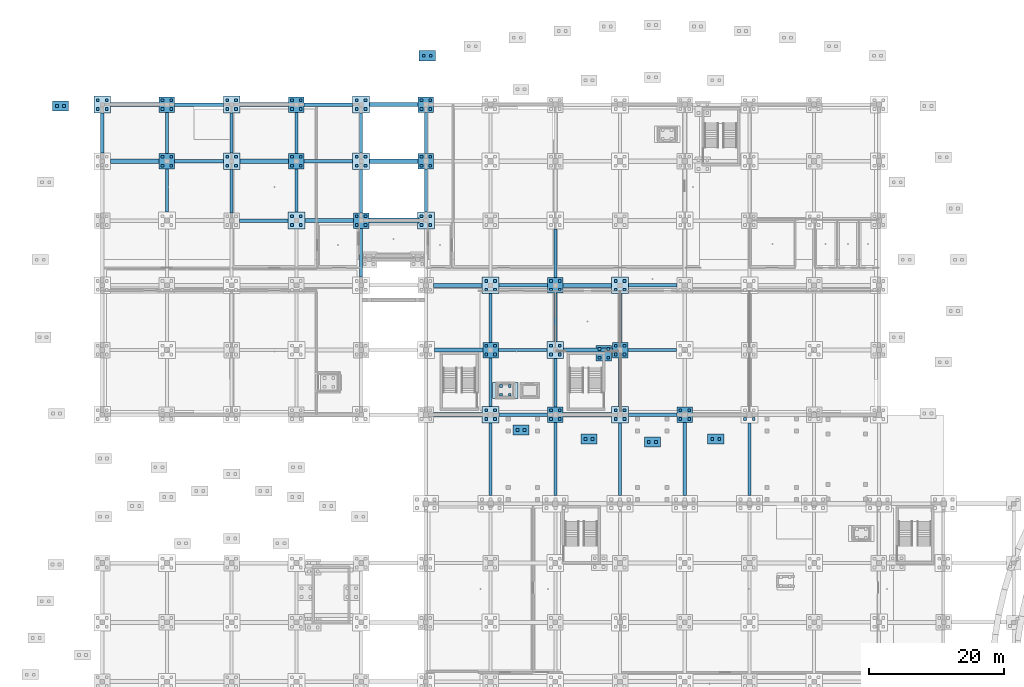
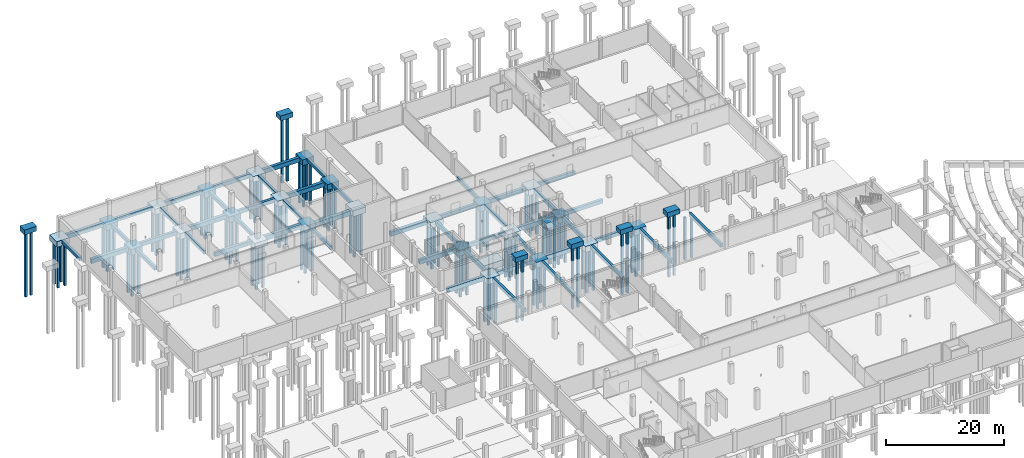
# One storey, part 6 of 31: 118 piles, 81 footings.
"""IFC4 building model written with IfcOpenShell, lengths in metres."""

from ifc_helpers import new_model, si_unit, direction, frame, origin, origin_2d, place, context, subcontext, project, spatial, rectangle, extrude, material, layer, layer_set, material_profile, profile_set, type_object, element, save


model = new_model("IFC4")

# Units and contexts
model_context = context("Model", 3, precision=1e-05, world=origin(), true_north=direction((0.0, 1.0)))
body_context = subcontext(model_context, "Body", "Model", "MODEL_VIEW")
ifc_project = project(units=[si_unit("LENGTHUNIT", "METRE"), si_unit("AREAUNIT", "SQUARE_METRE"), si_unit("VOLUMEUNIT", "CUBIC_METRE"), si_unit("PLANEANGLEUNIT", "RADIAN"), si_unit("MASSUNIT", "GRAM", prefix="KILO")], contexts=[model_context])

# Site, building, storey
site_placement = place(None, origin())
site = spatial("IfcSite", under=ifc_project, at=site_placement, CompositionType="ELEMENT")
building_placement = place(site_placement, origin())
building = spatial("IfcBuilding", under=site, at=building_placement, Name="Chalmorin Arch Market", CompositionType="ELEMENT")
storey_placement = place(building_placement, frame((0.0, 0.0, -4.199951171875)))
storey = spatial("IfcBuildingStorey", under=building, at=storey_placement, Name="B1", CompositionType="ELEMENT", Elevation=-4.199951171875)

# Piles
ifc_material_1 = material(Name="Precast concrete C50/60", Category="concrete")
ifc_material_profile = material_profile(ifc_material_1, rectangle(XDim=0.406005859375, YDim=0.406005859375, at=origin_2d()), Name="PPC406")
ifc_profile_set = profile_set([ifc_material_profile], Name="Precast concrete C50/60")
pile_type = type_object("IfcPileType", Name="DrivenSquarePile-406", PredefinedType="DRIVEN", material=ifc_profile_set)
for number, where, z_axis, x_axis, name in (
    (1, (-0.64990234375, 117.35009765625, -1.10009765625), (0.0, 0.0, -1.0), (1.0, 0.0, 0.0), "P-406-045"),
    (2, (0.64990234375, 117.35009765625, -1.10009765625), (0.0, 0.0, -1.0), (1.0, 0.0, 0.0), "P-406-046"),
    (3, (-0.64990234375, 118.64990234375, -1.10009765625), (0.0, 0.0, -1.0), (1.0, 0.0, 0.0), "P-406-047"),
    (4, (0.64990234375, 118.64990234375, -1.10009765625), (0.0, 0.0, -1.0), (1.0, 0.0, 0.0), "P-406-048"),
    (5, (8.949951171875, 108.949951171875, -1.10009765625), (0.0, 0.0, -1.0), (1.0, 0.0, 0.0), "P-406-089"),
    (6, (10.25, 108.949951171875, -1.10009765625), (0.0, 0.0, -1.0), (1.0, 0.0, 0.0), "P-406-090"),
    (7, (8.949951171875, 110.25, -1.10009765625), (0.0, 0.0, -1.0), (1.0, 0.0, 0.0), "P-406-091"),
    (8, (10.25, 110.25, -1.10009765625), (0.0, 0.0, -1.0), (1.0, 0.0, 0.0), "P-406-092"),
    (9, (8.949951171875, 117.35009765625, -1.10009765625), (0.0, 0.0, -1.0), (1.0, 0.0, 0.0), "P-406-093"),
    (10, (10.25, 117.35009765625, -1.10009765625), (0.0, 0.0, -1.0), (1.0, 0.0, 0.0), "P-406-094"),
    (11, (8.949951171875, 118.64990234375, -1.10009765625), (0.0, 0.0, -1.0), (1.0, 0.0, 0.0), "P-406-095"),
    (12, (10.25, 118.64990234375, -1.10009765625), (0.0, 0.0, -1.0), (1.0, 0.0, 0.0), "P-406-096"),
    (13, (18.550048828125, 108.949951171875, -1.10009765625), (0.0, 0.0, -1.0), (1.0, 0.0, 0.0), "P-406-137"),
    (14, (19.85009765625, 108.949951171875, -1.10009765625), (0.0, 0.0, -1.0), (1.0, 0.0, 0.0), "P-406-138"),
    (15, (18.550048828125, 110.25, -1.10009765625), (0.0, 0.0, -1.0), (1.0, 0.0, 0.0), "P-406-139"),
    (16, (19.85009765625, 110.25, -1.10009765625), (0.0, 0.0, -1.0), (1.0, 0.0, 0.0), "P-406-140"),
    (17, (18.550048828125, 117.35009765625, -1.10009765625), (0.0, 0.0, -1.0), (1.0, 0.0, 0.0), "P-406-141"),
    (18, (19.85009765625, 117.35009765625, -1.10009765625), (0.0, 0.0, -1.0), (1.0, 0.0, 0.0), "P-406-142"),
    (19, (18.550048828125, 118.64990234375, -1.10009765625), (0.0, 0.0, -1.0), (1.0, 0.0, 0.0), "P-406-143"),
    (20, (19.85009765625, 118.64990234375, -1.10009765625), (0.0, 0.0, -1.0), (1.0, 0.0, 0.0), "P-406-144"),
    (21, (28.14990234375, 100.14990234375, -1.10009765625), (0.0, 0.0, -1.0), (1.0, 0.0, 0.0), "P-406-181"),
    (22, (29.449951171875, 100.14990234375, -1.10009765625), (0.0, 0.0, -1.0), (1.0, 0.0, 0.0), "P-406-182"),
    (23, (28.14990234375, 101.449951171875, -1.10009765625), (0.0, 0.0, -1.0), (1.0, 0.0, 0.0), "P-406-183"),
    (24, (29.449951171875, 101.449951171875, -1.10009765625), (0.0, 0.0, -1.0), (1.0, 0.0, 0.0), "P-406-184"),
    (25, (28.14990234375, 108.949951171875, -1.10009765625), (0.0, 0.0, -1.0), (1.0, 0.0, 0.0), "P-406-185"),
    (26, (29.449951171875, 108.949951171875, -1.10009765625), (0.0, 0.0, -1.0), (1.0, 0.0, 0.0), "P-406-186"),
    (27, (28.14990234375, 110.25, -1.10009765625), (0.0, 0.0, -1.0), (1.0, 0.0, 0.0), "P-406-187"),
    (28, (29.449951171875, 110.25, -1.10009765625), (0.0, 0.0, -1.0), (1.0, 0.0, 0.0), "P-406-188"),
    (29, (28.14990234375, 117.35009765625, -1.10009765625), (0.0, 0.0, -1.0), (1.0, 0.0, 0.0), "P-406-189"),
    (30, (29.449951171875, 117.35009765625, -1.10009765625), (0.0, 0.0, -1.0), (1.0, 0.0, 0.0), "P-406-190"),
    (31, (28.14990234375, 118.64990234375, -1.10009765625), (0.0, 0.0, -1.0), (1.0, 0.0, 0.0), "P-406-191"),
    (32, (29.449951171875, 118.64990234375, -1.10009765625), (0.0, 0.0, -1.0), (1.0, 0.0, 0.0), "P-406-192"),
    (33, (37.75, 100.14990234375, -1.10009765625), (0.0, 0.0, -1.0), (1.0, 0.0, 0.0), "P-406-229"),
    (34, (39.050048828125, 100.14990234375, -1.10009765625), (0.0, 0.0, -1.0), (1.0, 0.0, 0.0), "P-406-230"),
    (35, (37.75, 101.449951171875, -1.10009765625), (0.0, 0.0, -1.0), (1.0, 0.0, 0.0), "P-406-231"),
    (36, (39.050048828125, 101.449951171875, -1.10009765625), (0.0, 0.0, -1.0), (1.0, 0.0, 0.0), "P-406-232"),
    (37, (37.75, 108.949951171875, -1.10009765625), (0.0, 0.0, -1.0), (1.0, 0.0, 0.0), "P-406-233"),
    (38, (39.050048828125, 108.949951171875, -1.10009765625), (0.0, 0.0, -1.0), (1.0, 0.0, 0.0), "P-406-234"),
    (39, (37.75, 110.25, -1.10009765625), (0.0, 0.0, -1.0), (1.0, 0.0, 0.0), "P-406-235"),
    (40, (39.050048828125, 110.25, -1.10009765625), (0.0, 0.0, -1.0), (1.0, 0.0, 0.0), "P-406-236"),
    (41, (37.75, 117.35009765625, -1.10009765625), (0.0, 0.0, -1.0), (1.0, 0.0, 0.0), "P-406-237"),
    (42, (39.050048828125, 117.35009765625, -1.10009765625), (0.0, 0.0, -1.0), (1.0, 0.0, 0.0), "P-406-238"),
    (43, (37.75, 118.64990234375, -1.10009765625), (0.0, 0.0, -1.0), (1.0, 0.0, 0.0), "P-406-239"),
    (44, (39.050048828125, 118.64990234375, -1.10009765625), (0.0, 0.0, -1.0), (1.0, 0.0, 0.0), "P-406-240"),
    (45, (47.35009765625, 100.14990234375, -1.10009765625), (0.0, 0.0, -1.0), (1.0, 0.0, 0.0), "P-406-285"),
    (46, (48.64990234375, 100.14990234375, -1.10009765625), (0.0, 0.0, -1.0), (1.0, 0.0, 0.0), "P-406-286"),
    (47, (47.35009765625, 101.449951171875, -1.10009765625), (0.0, 0.0, -1.0), (1.0, 0.0, 0.0), "P-406-287"),
    (48, (48.64990234375, 101.449951171875, -1.10009765625), (0.0, 0.0, -1.0), (1.0, 0.0, 0.0), "P-406-288"),
    (49, (47.35009765625, 108.949951171875, -1.10009765625), (0.0, 0.0, -1.0), (1.0, 0.0, 0.0), "P-406-289"),
    (50, (48.64990234375, 108.949951171875, -1.10009765625), (0.0, 0.0, -1.0), (1.0, 0.0, 0.0), "P-406-290"),
    (51, (47.35009765625, 110.25, -1.10009765625), (0.0, 0.0, -1.0), (1.0, 0.0, 0.0), "P-406-291"),
    (52, (48.64990234375, 110.25, -1.10009765625), (0.0, 0.0, -1.0), (1.0, 0.0, 0.0), "P-406-292"),
    (53, (47.35009765625, 117.35009765625, -1.10009765625), (0.0, 0.0, -1.0), (1.0, 0.0, 0.0), "P-406-293"),
    (54, (48.64990234375, 117.35009765625, -1.10009765625), (0.0, 0.0, -1.0), (1.0, 0.0, 0.0), "P-406-294"),
    (55, (47.35009765625, 118.64990234375, -1.10009765625), (0.0, 0.0, -1.0), (1.0, 0.0, 0.0), "P-406-295"),
    (56, (48.64990234375, 118.64990234375, -1.10009765625), (0.0, 0.0, -1.0), (1.0, 0.0, 0.0), "P-406-296"),
    (57, (56.949951171875, 71.35009765625, -1.10009765625), (0.0, 0.0, -1.0), (1.0, 0.0, 0.0), "P-406-329"),
    (58, (58.25, 71.35009765625, -1.10009765625), (0.0, 0.0, -1.0), (1.0, 0.0, 0.0), "P-406-330"),
    (59, (56.949951171875, 72.64990234375, -1.10009765625), (0.0, 0.0, -1.0), (1.0, 0.0, 0.0), "P-406-331"),
    (60, (58.25, 72.64990234375, -1.10009765625), (0.0, 0.0, -1.0), (1.0, 0.0, 0.0), "P-406-332"),
    (61, (56.949951171875, 80.949951171875, -1.10009765625), (0.0, 0.0, -1.0), (1.0, 0.0, 0.0), "P-406-333"),
    (62, (58.25, 80.949951171875, -1.10009765625), (0.0, 0.0, -1.0), (1.0, 0.0, 0.0), "P-406-334"),
    (63, (56.949951171875, 82.25, -1.10009765625), (0.0, 0.0, -1.0), (1.0, 0.0, 0.0), "P-406-335"),
    (64, (58.25, 82.25, -1.10009765625), (0.0, 0.0, -1.0), (1.0, 0.0, 0.0), "P-406-336"),
    (65, (56.949951171875, 90.550048828125, -1.10009765625), (0.0, 0.0, -1.0), (1.0, 0.0, 0.0), "P-406-337"),
    (66, (58.25, 90.550048828125, -1.10009765625), (0.0, 0.0, -1.0), (1.0, 0.0, 0.0), "P-406-338"),
    (67, (56.949951171875, 91.85009765625, -1.10009765625), (0.0, 0.0, -1.0), (1.0, 0.0, 0.0), "P-406-339"),
    (68, (58.25, 91.85009765625, -1.10009765625), (0.0, 0.0, -1.0), (1.0, 0.0, 0.0), "P-406-340"),
    (69, (66.550048828125, 71.35009765625, -1.10009765625), (0.0, 0.0, -1.0), (1.0, 0.0, 0.0), "P-406-385"),
    (70, (67.85009765625, 71.35009765625, -1.10009765625), (0.0, 0.0, -1.0), (1.0, 0.0, 0.0), "P-406-386"),
    (71, (66.550048828125, 72.64990234375, -1.10009765625), (0.0, 0.0, -1.0), (1.0, 0.0, 0.0), "P-406-387"),
    (72, (67.85009765625, 72.64990234375, -1.10009765625), (0.0, 0.0, -1.0), (1.0, 0.0, 0.0), "P-406-388"),
    (73, (66.550048828125, 80.949951171875, -1.10009765625), (0.0, 0.0, -1.0), (1.0, 0.0, 0.0), "P-406-389"),
    (74, (67.85009765625, 80.949951171875, -1.10009765625), (0.0, 0.0, -1.0), (1.0, 0.0, 0.0), "P-406-390"),
    (75, (66.550048828125, 82.25, -1.10009765625), (0.0, 0.0, -1.0), (1.0, 0.0, 0.0), "P-406-391"),
    (76, (67.85009765625, 82.25, -1.10009765625), (0.0, 0.0, -1.0), (1.0, 0.0, 0.0), "P-406-392"),
    (77, (66.550048828125, 90.550048828125, -1.10009765625), (0.0, 0.0, -1.0), (1.0, 0.0, 0.0), "P-406-393"),
    (78, (67.85009765625, 90.550048828125, -1.10009765625), (0.0, 0.0, -1.0), (1.0, 0.0, 0.0), "P-406-394"),
    (79, (66.550048828125, 91.85009765625, -1.10009765625), (0.0, 0.0, -1.0), (1.0, 0.0, 0.0), "P-406-395"),
    (80, (67.85009765625, 91.85009765625, -1.10009765625), (0.0, 0.0, -1.0), (1.0, 0.0, 0.0), "P-406-396"),
    (81, (76.14990234375, 71.35009765625, -1.10009765625), (0.0, 0.0, -1.0), (1.0, 0.0, 0.0), "P-406-441"),
    (82, (77.449951171875, 71.35009765625, -1.10009765625), (0.0, 0.0, -1.0), (1.0, 0.0, 0.0), "P-406-442"),
    (83, (76.14990234375, 72.64990234375, -1.10009765625), (0.0, 0.0, -1.0), (1.0, 0.0, 0.0), "P-406-443"),
    (84, (77.449951171875, 72.64990234375, -1.10009765625), (0.0, 0.0, -1.0), (1.0, 0.0, 0.0), "P-406-444"),
    (85, (76.14990234375, 80.949951171875, -1.10009765625), (0.0, 0.0, -1.0), (1.0, 0.0, 0.0), "P-406-445"),
    (86, (77.449951171875, 80.949951171875, -1.10009765625), (0.0, 0.0, -1.0), (1.0, 0.0, 0.0), "P-406-446"),
    (87, (76.14990234375, 82.25, -1.10009765625), (0.0, 0.0, -1.0), (1.0, 0.0, 0.0), "P-406-447"),
    (88, (77.449951171875, 82.25, -1.10009765625), (0.0, 0.0, -1.0), (1.0, 0.0, 0.0), "P-406-448"),
    (89, (76.14990234375, 90.550048828125, -1.10009765625), (0.0, 0.0, -1.0), (1.0, 0.0, 0.0), "P-406-449"),
    (90, (77.449951171875, 90.550048828125, -1.10009765625), (0.0, 0.0, -1.0), (1.0, 0.0, 0.0), "P-406-450"),
    (91, (76.14990234375, 91.85009765625, -1.10009765625), (0.0, 0.0, -1.0), (1.0, 0.0, 0.0), "P-406-451"),
    (92, (77.449951171875, 91.85009765625, -1.10009765625), (0.0, 0.0, -1.0), (1.0, 0.0, 0.0), "P-406-452"),
    (93, (85.75, 71.35009765625, -1.10009765625), (0.0, 0.0, -1.0), (1.0, 0.0, 0.0), "P-406-497"),
    (94, (87.050048828125, 71.35009765625, -1.10009765625), (0.0, 0.0, -1.0), (1.0, 0.0, 0.0), "P-406-498"),
    (95, (85.75, 72.64990234375, -1.10009765625), (0.0, 0.0, -1.0), (1.0, 0.0, 0.0), "P-406-499"),
    (96, (87.050048828125, 72.64990234375, -1.10009765625), (0.0, 0.0, -1.0), (1.0, 0.0, 0.0), "P-406-500"),
    (97, (95.35009765625, 71.35009765625, -1.10009765625), (0.0, 0.0, -1.0), (1.0, 0.0, 0.0), "P-406-553"),
    (98, (96.64990234375, 71.35009765625, -1.10009765625), (0.0, 0.0, -1.0), (1.0, 0.0, 0.0), "P-406-554"),
):
    element("IfcPile", number, at=place(storey_placement, frame(where, z_axis=z_axis, x_axis=x_axis)), inside=storey, type_object=pile_type, Name=name, PredefinedType="DRIVEN", context=body_context, shape_type="SweptSolid", body=[
        extrude(rectangle(XDim=0.406005859375, YDim=0.406005859375, at=origin_2d()), origin(), (0.0, 0.0, 1.0), 8.89990234375),
    ])
for number, where, z_axis, x_axis, name in (
    (99, (61.592041015625, 69.73095703125, 2.97998046875), (0.0, 0.0, -1.0), (1.0, 0.0, 0.0), "P-406-805"),
    (100, (62.632080078125, 69.73095703125, 2.97998046875), (0.0, 0.0, -1.0), (1.0, 0.0, 0.0), "P-406-806"),
    (101, (71.672119140625, 68.387939453125, 2.97998046875), (0.0, 0.0, -1.0), (1.0, 0.0, 0.0), "P-406-809"),
    (102, (72.7119140625, 68.387939453125, 2.97998046875), (0.0, 0.0, -1.0), (1.0, 0.0, 0.0), "P-406-810"),
    (103, (81.080078125, 67.949951171875, 2.97998046875), (0.0, 0.0, -1.0), (1.0, 0.0, 0.0), "P-406-813"),
    (104, (82.1201171875, 67.949951171875, 2.97998046875), (0.0, 0.0, -1.0), (1.0, 0.0, 0.0), "P-406-814"),
    (105, (90.488037109375, 68.387939453125, 2.97998046875), (0.0, 0.0, -1.0), (1.0, 0.0, 0.0), "P-406-817"),
    (106, (91.528076171875, 68.387939453125, 2.97998046875), (0.0, 0.0, -1.0), (1.0, 0.0, 0.0), "P-406-818"),
):
    element("IfcPile", number, at=place(storey_placement, frame(where, z_axis=z_axis, x_axis=x_axis)), inside=storey, type_object=pile_type, Name=name, PredefinedType="DRIVEN", context=body_context, shape_type="SweptSolid", body=[
        extrude(rectangle(XDim=0.406005859375, YDim=0.406005859375, at=origin_2d()), origin(), (0.0, 0.0, 1.0), 12.97998046875),
    ])
for number, where, z_axis, x_axis, name in (
    (107, (-6.719970703125, 117.800048828125, 3.47998046875), (0.0, 0.0, -1.0), (1.0, 0.0, 0.0), "P-406-841"),
    (108, (-5.679931640625, 117.800048828125, 3.47998046875), (0.0, 0.0, -1.0), (1.0, 0.0, 0.0), "P-406-842"),
    (109, (47.679931640625, 125.242919921875, 3.47998046875), (0.0, 0.0, -1.0), (1.0, 0.0, 0.0), "P-406-843"),
    (110, (48.719970703125, 125.242919921875, 3.47998046875), (0.0, 0.0, -1.0), (1.0, 0.0, 0.0), "P-406-844"),
):
    element("IfcPile", number, at=place(storey_placement, frame(where, z_axis=z_axis, x_axis=x_axis)), inside=storey, type_object=pile_type, Name=name, PredefinedType="DRIVEN", context=body_context, shape_type="SweptSolid", body=[
        extrude(rectangle(XDim=0.406005859375, YDim=0.406005859375, at=origin_2d()), origin(), (0.0, 0.0, 1.0), 13.47998046875),
    ])
for number, where, z_axis, x_axis, name in (
    (111, (73.75, 80.449951171875, -1.10009765625), (0.0, 0.0, -1.0), (1.0, 0.0, 0.0), "P-406-949"),
    (112, (75.050048828125, 80.449951171875, -1.10009765625), (0.0, 0.0, -1.0), (1.0, 0.0, 0.0), "P-406-950"),
    (113, (73.75, 81.75, -1.10009765625), (0.0, 0.0, -1.0), (1.0, 0.0, 0.0), "P-406-951"),
    (114, (75.050048828125, 81.75, -1.10009765625), (0.0, 0.0, -1.0), (1.0, 0.0, 0.0), "P-406-952"),
):
    element("IfcPile", number, at=place(storey_placement, frame(where, z_axis=z_axis, x_axis=x_axis)), inside=storey, type_object=pile_type, Name=name, PredefinedType="DRIVEN", context=body_context, shape_type="SweptSolid", body=[
        extrude(rectangle(XDim=0.406005859375, YDim=0.406005859375, at=origin_2d()), origin(), (0.0, 0.0, 1.0), 8.89990234375),
    ])
for number, where, z_axis, x_axis, name in (
    (115, (59.14990234375, 74.949951171875, -1.199951171875), (0.0, 0.0, -1.0), (1.0, 0.0, 0.0), "P-406-973"),
    (116, (60.449951171875, 74.949951171875, -1.199951171875), (0.0, 0.0, -1.0), (1.0, 0.0, 0.0), "P-406-974"),
    (117, (59.14990234375, 76.25, -1.199951171875), (0.0, 0.0, -1.0), (1.0, 0.0, 0.0), "P-406-975"),
    (118, (60.449951171875, 76.25, -1.199951171875), (0.0, 0.0, -1.0), (1.0, 0.0, 0.0), "P-406-976"),
):
    element("IfcPile", number, at=place(storey_placement, frame(where, z_axis=z_axis, x_axis=x_axis)), inside=storey, type_object=pile_type, Name=name, PredefinedType="DRIVEN", context=body_context, shape_type="SweptSolid", body=[
        extrude(rectangle(XDim=0.406005859375, YDim=0.406005859375, at=origin_2d()), origin(), (0.0, 0.0, 1.0), 8.800048828125),
    ])

# Footings
ifc_material_2 = material(Name="Concrete C40/50", Category="concrete")
ifc_layer_1 = layer(ifc_material_2, 0.75)
ifc_layer_set_1 = layer_set([ifc_layer_1], Name="Concrete C40/50")
footing_type_1 = type_object("IfcFootingType", Name="FoundationTieBeam-450x750-L10750", PredefinedType="FOOTING_BEAM", material=ifc_layer_set_1)
for number, where, z_axis, x_axis, name in (
    (119, (57.60009765625, 65.375, -0.75), (0.0, 0.0, 1.0), (0.0, 1.0, 0.0), "FTB-03-253"),
    (120, (76.800048828125, 65.375, -0.75), (0.0, 0.0, 1.0), (0.0, 1.0, 0.0), "FTB-03-279"),
    (121, (96.0, 65.375, -0.75), (0.0, 0.0, 1.0), (0.0, 1.0, 0.0), "FTB-03-305"),
):
    element("IfcFooting", number, at=place(storey_placement, frame(where, z_axis=z_axis, x_axis=x_axis)), inside=storey, type_object=footing_type_1, Name=name, PredefinedType="FOOTING_BEAM", context=body_context, shape_type="SweptSolid", body=[
        extrude(rectangle(XDim=10.75, YDim=0.449951171875, at=origin_2d()), origin(), (0.0, 0.0, 1.0), 0.75),
    ])
ifc_layer_2 = layer(ifc_material_2, 0.75)
ifc_layer_set_2 = layer_set([ifc_layer_2], Name="Concrete C40/50")
footing_type_2 = type_object("IfcFootingType", Name="FoundationTieBeam-450x750-L10850", PredefinedType="FOOTING_BEAM", material=ifc_layer_set_2)
for number, where, z_axis, x_axis, name in (
    (122, (67.199951171875, 65.425048828125, -0.75), (0.0, 0.0, 1.0), (0.0, 1.0, 0.0), "FTB-03-266"),
    (123, (86.39990234375, 65.425048828125, -0.75), (0.0, 0.0, 1.0), (0.0, 1.0, 0.0), "FTB-03-292"),
):
    element("IfcFooting", number, at=place(storey_placement, frame(where, z_axis=z_axis, x_axis=x_axis)), inside=storey, type_object=footing_type_2, Name=name, PredefinedType="FOOTING_BEAM", context=body_context, shape_type="SweptSolid", body=[
        extrude(rectangle(XDim=10.85009765625, YDim=0.449951171875, at=origin_2d()), origin(), (0.0, 0.0, 1.0), 0.75),
    ])
ifc_layer_3 = layer(ifc_material_2, 0.75)
ifc_layer_set_3 = layer_set([ifc_layer_3], Name="Concrete C40/50")
footing_type_3 = type_object("IfcFootingType", Name="FoundationTieBeam-450x750-L5900", PredefinedType="FOOTING_BEAM", material=ifc_layer_set_3)
for number, where, z_axis, x_axis, name in (
    (124, (0.0, 113.800048828125, -0.75), (0.0, 0.0, 1.0), (0.0, 1.0, 0.0), "FTB-03-188"),
    (125, (19.199951171875, 113.800048828125, -0.75), (0.0, 0.0, 1.0), (0.0, 1.0, 0.0), "FTB-03-210"),
    (126, (38.39990234375, 113.800048828125, -0.75), (0.0, 0.0, 1.0), (0.0, 1.0, 0.0), "FTB-03-232"),
):
    element("IfcFooting", number, at=place(storey_placement, frame(where, z_axis=z_axis, x_axis=x_axis)), inside=storey, type_object=footing_type_3, Name=name, PredefinedType="FOOTING_BEAM", context=body_context, shape_type="SweptSolid", body=[
        extrude(rectangle(XDim=5.89990234375, YDim=0.449951171875, at=origin_2d()), origin(), (0.0, 0.0, 1.0), 0.75),
    ])
ifc_layer_4 = layer(ifc_material_2, 0.75)
ifc_layer_set_4 = layer_set([ifc_layer_4], Name="Concrete C40/50")
footing_type_4 = type_object("IfcFootingType", Name="FoundationTieBeam-450x750-L6100", PredefinedType="FOOTING_BEAM", material=ifc_layer_set_4)
for number, where, z_axis, x_axis, name in (
    (127, (9.60009765625, 113.800048828125, -0.75), (0.0, 0.0, 1.0), (0.0, 1.0, 0.0), "FTB-03-199"),
    (128, (28.800048828125, 113.800048828125, -0.75), (0.0, 0.0, 1.0), (0.0, 1.0, 0.0), "FTB-03-221"),
    (129, (48.0, 113.800048828125, -0.75), (0.0, 0.0, 1.0), (0.0, 1.0, 0.0), "FTB-03-245"),
):
    element("IfcFooting", number, at=place(storey_placement, frame(where, z_axis=z_axis, x_axis=x_axis)), inside=storey, type_object=footing_type_4, Name=name, PredefinedType="FOOTING_BEAM", context=body_context, shape_type="SweptSolid", body=[
        extrude(rectangle(XDim=6.10009765625, YDim=0.449951171875, at=origin_2d()), origin(), (0.0, 0.0, 1.0), 0.75),
    ])
ifc_layer_5 = layer(ifc_material_2, 0.75)
ifc_layer_set_5 = layer_set([ifc_layer_5], Name="Concrete C40/50")
footing_type_5 = type_object("IfcFootingType", Name="FoundationTieBeam-450x750-L6400", PredefinedType="FOOTING_BEAM", material=ifc_layer_set_5)
for number, where, z_axis, x_axis, name in (
    (130, (9.60009765625, 105.25, -0.75), (0.0, 0.0, 1.0), (0.0, 1.0, 0.0), "FTB-03-198"),
    (131, (19.199951171875, 105.14990234375, -0.75), (0.0, 0.0, 1.0), (0.0, 1.0, 0.0), "FTB-03-209"),
    (132, (28.800048828125, 105.25, -0.75), (0.0, 0.0, 1.0), (0.0, 1.0, 0.0), "FTB-03-220"),
    (133, (38.39990234375, 105.14990234375, -0.75), (0.0, 0.0, 1.0), (0.0, 1.0, 0.0), "FTB-03-231"),
    (134, (48.0, 105.25, -0.75), (0.0, 0.0, 1.0), (0.0, 1.0, 0.0), "FTB-03-244"),
):
    element("IfcFooting", number, at=place(storey_placement, frame(where, z_axis=z_axis, x_axis=x_axis)), inside=storey, type_object=footing_type_5, Name=name, PredefinedType="FOOTING_BEAM", context=body_context, shape_type="SweptSolid", body=[
        extrude(rectangle(XDim=6.39990234375, YDim=0.449951171875, at=origin_2d()), origin(), (0.0, 0.0, 1.0), 0.75),
    ])
ifc_layer_6 = layer(ifc_material_2, 0.75)
ifc_layer_set_6 = layer_set([ifc_layer_6], Name="Concrete C40/50")
footing_type_6 = type_object("IfcFootingType", Name="FoundationTieBeam-450x750-L7200", PredefinedType="FOOTING_BEAM", material=ifc_layer_set_6)
for number, where, z_axis, x_axis, name in (
    (135, (38.39990234375, 96.050048828125, -0.75), (0.0, 0.0, 1.0), (0.0, 1.0, 0.0), "FTB-03-230"),
    (136, (57.60009765625, 76.85009765625, -0.75), (0.0, 0.0, 1.0), (0.0, 1.0, 0.0), "FTB-03-254"),
    (137, (57.60009765625, 86.35009765625, -0.75), (0.0, 0.0, 1.0), (0.0, 1.0, 0.0), "FTB-03-255"),
    (138, (67.199951171875, 76.75, -0.75), (0.0, 0.0, 1.0), (0.0, 1.0, 0.0), "FTB-03-267"),
    (139, (67.199951171875, 86.449951171875, -0.75), (0.0, 0.0, 1.0), (0.0, 1.0, 0.0), "FTB-03-268"),
    (140, (67.199951171875, 95.949951171875, -0.75), (0.0, 0.0, 1.0), (0.0, 1.0, 0.0), "FTB-03-269"),
    (141, (76.800048828125, 76.85009765625, -0.75), (0.0, 0.0, 1.0), (0.0, 1.0, 0.0), "FTB-03-280"),
    (142, (76.800048828125, 86.35009765625, -0.75), (0.0, 0.0, 1.0), (0.0, 1.0, 0.0), "FTB-03-281"),
):
    element("IfcFooting", number, at=place(storey_placement, frame(where, z_axis=z_axis, x_axis=x_axis)), inside=storey, type_object=footing_type_6, Name=name, PredefinedType="FOOTING_BEAM", context=body_context, shape_type="SweptSolid", body=[
        extrude(rectangle(XDim=7.199951171875, YDim=0.449951171875, at=origin_2d()), origin(), (0.0, 0.0, 1.0), 0.75),
    ])
ifc_layer_7 = layer(ifc_material_2, 0.800048828125)
ifc_layer_set_7 = layer_set([ifc_layer_7], Name="Concrete C40/50")
footing_type_7 = type_object("IfcFootingType", Name="FoundationTieBeam-500x800-L7200", PredefinedType="FOOTING_BEAM", material=ifc_layer_set_7)
for number, where, z_axis, x_axis, name in (
    (143, (62.449951171875, 72.0, -0.80029296875), (0.0, 0.0, 1.0), (1.0, 0.0, 0.0), "FTB-02-113"),
    (144, (81.64990234375, 72.0, -0.80029296875), (0.0, 0.0, 1.0), (1.0, 0.0, 0.0), "FTB-02-115"),
    (145, (62.35009765625, 81.60009765625, -0.80029296875), (0.0, 0.0, 1.0), (1.0, 0.0, 0.0), "FTB-02-125"),
    (146, (81.550048828125, 81.60009765625, -0.80029296875), (0.0, 0.0, 1.0), (1.0, 0.0, 0.0), "FTB-02-127"),
    (147, (62.449951171875, 91.199951171875, -0.80029296875), (0.0, 0.0, 1.0), (1.0, 0.0, 0.0), "FTB-02-137"),
    (148, (81.64990234375, 91.199951171875, -0.80029296875), (0.0, 0.0, 1.0), (1.0, 0.0, 0.0), "FTB-02-139"),
    (149, (23.949951171875, 100.800048828125, -0.80029296875), (0.0, 0.0, 1.0), (1.0, 0.0, 0.0), "FTB-02-145"),
    (150, (14.35009765625, 109.60009765625, -0.80029296875), (0.0, 0.0, 1.0), (1.0, 0.0, 0.0), "FTB-02-155"),
    (151, (33.550048828125, 109.60009765625, -0.80029296875), (0.0, 0.0, 1.0), (1.0, 0.0, 0.0), "FTB-02-157"),
    (152, (14.35009765625, 118.0, -0.80029296875), (0.0, 0.0, 1.0), (1.0, 0.0, 0.0), "FTB-02-167"),
    (153, (33.550048828125, 118.0, -0.80029296875), (0.0, 0.0, 1.0), (1.0, 0.0, 0.0), "FTB-02-169"),
):
    element("IfcFooting", number, at=place(storey_placement, frame(where, z_axis=z_axis, x_axis=x_axis)), inside=storey, type_object=footing_type_7, Name=name, PredefinedType="FOOTING_BEAM", context=body_context, shape_type="SweptSolid", body=[
        extrude(rectangle(XDim=7.199951171875, YDim=0.5, at=origin_2d()), origin(), (0.0, 0.0, 1.0), 0.800048828125),
    ])
ifc_layer_8 = layer(ifc_material_2, 0.89990234375)
ifc_layer_set_8 = layer_set([ifc_layer_8], Name="Concrete C40/50")
footing_type_8 = type_object("IfcFootingType", Name="FoundationTieBeam-600x900", PredefinedType="FOOTING_BEAM", material=ifc_layer_set_8)
footing_1_placement = place(storey_placement, frame((43.199951171875, 100.800048828125, -1.5), z_axis=(0.0, 0.0, 1.0), x_axis=(1.0, 0.0, 0.0)))
element("IfcFooting", 154, at=footing_1_placement, inside=storey, type_object=footing_type_8, Name="FTB-TUN2", PredefinedType="FOOTING_BEAM", context=body_context, shape_type="SweptSolid", body=[
    extrude(rectangle(XDim=7.5, YDim=0.699951171875, at=origin_2d()), origin(), (0.0, 0.0, 1.0), 0.89990234375),
])
ifc_layer_9 = layer(ifc_material_2, 0.89990234375)
ifc_layer_set_9 = layer_set([ifc_layer_9], Name="Concrete C40/50")
footing_type_9 = type_object("IfcFootingType", Name="FoundationTieBeam-600x900-L7200", PredefinedType="FOOTING_BEAM", material=ifc_layer_set_9)
for number, where, z_axis, x_axis, name in (
    (155, (52.75, 72.0, -0.89990234375), (0.0, 0.0, 1.0), (1.0, 0.0, 0.0), "FTB-01-112"),
    (156, (71.949951171875, 72.0, -0.89990234375), (0.0, 0.0, 1.0), (1.0, 0.0, 0.0), "FTB-01-114"),
    (157, (52.85009765625, 81.60009765625, -0.89990234375), (0.0, 0.0, 1.0), (1.0, 0.0, 0.0), "FTB-01-124"),
    (158, (72.050048828125, 81.60009765625, -0.89990234375), (0.0, 0.0, 1.0), (1.0, 0.0, 0.0), "FTB-01-126"),
    (159, (52.75, 91.199951171875, -0.89990234375), (0.0, 0.0, 1.0), (1.0, 0.0, 0.0), "FTB-01-136"),
    (160, (71.949951171875, 91.199951171875, -0.89990234375), (0.0, 0.0, 1.0), (1.0, 0.0, 0.0), "FTB-01-138"),
    (161, (33.64990234375, 100.800048828125, -0.89990234375), (0.0, 0.0, 1.0), (1.0, 0.0, 0.0), "FTB-01-146"),
    (162, (4.85009765625, 109.60009765625, -0.89990234375), (0.0, 0.0, 1.0), (1.0, 0.0, 0.0), "FTB-01-154"),
    (163, (24.050048828125, 109.60009765625, -0.89990234375), (0.0, 0.0, 1.0), (1.0, 0.0, 0.0), "FTB-01-156"),
    (164, (43.25, 109.60009765625, -0.89990234375), (0.0, 0.0, 1.0), (1.0, 0.0, 0.0), "FTB-01-158"),
    (165, (4.85009765625, 118.0, -0.89990234375), (0.0, 0.0, 1.0), (1.0, 0.0, 0.0), "FTB-01-166"),
    (166, (24.050048828125, 118.0, -0.89990234375), (0.0, 0.0, 1.0), (1.0, 0.0, 0.0), "FTB-01-168"),
    (167, (43.25, 118.0, -0.89990234375), (0.0, 0.0, 1.0), (1.0, 0.0, 0.0), "FTB-01-170"),
):
    element("IfcFooting", number, at=place(storey_placement, frame(where, z_axis=z_axis, x_axis=x_axis)), inside=storey, type_object=footing_type_9, Name=name, PredefinedType="FOOTING_BEAM", context=body_context, shape_type="SweptSolid", body=[
        extrude(rectangle(XDim=7.199951171875, YDim=0.60009765625, at=origin_2d()), origin(), (0.0, 0.0, 1.0), 0.89990234375),
    ])
ifc_layer_10 = layer(ifc_material_2, 1.199951171875)
ifc_layer_set_10 = layer_set([ifc_layer_10], Name="Concrete C40/50")
footing_type_10 = type_object("IfcFootingType", Name="MultiPileCap-2300x2300x1200", PredefinedType="PILE_CAP", material=ifc_layer_set_10)
for number, where, z_axis, x_axis, name in (
    (168, (9.60009765625, 109.60009765625, -1.2001953125), (0.0, 0.0, 1.0), (1.0, 0.0, 0.0), "PC-02-025"),
    (169, (9.60009765625, 118.0, -1.2001953125), (0.0, 0.0, 1.0), (1.0, 0.0, 0.0), "PC-02-026"),
    (170, (28.800048828125, 109.60009765625, -1.2001953125), (0.0, 0.0, 1.0), (1.0, 0.0, 0.0), "PC-02-051"),
    (171, (28.800048828125, 118.0, -1.2001953125), (0.0, 0.0, 1.0), (1.0, 0.0, 0.0), "PC-02-052"),
    (172, (38.39990234375, 100.800048828125, -1.2001953125), (0.0, 0.0, 1.0), (1.0, 0.0, 0.0), "PC-02-063"),
    (173, (48.0, 109.60009765625, -1.2001953125), (0.0, 0.0, 1.0), (1.0, 0.0, 0.0), "PC-02-078"),
    (174, (48.0, 118.0, -1.2001953125), (0.0, 0.0, 1.0), (1.0, 0.0, 0.0), "PC-02-079"),
    (175, (57.60009765625, 81.60009765625, -1.2001953125), (0.0, 0.0, 1.0), (1.0, 0.0, 0.0), "PC-02-089"),
    (176, (67.199951171875, 72.0, -1.2001953125), (0.0, 0.0, 1.0), (1.0, 0.0, 0.0), "PC-02-102"),
    (177, (67.199951171875, 91.199951171875, -1.2001953125), (0.0, 0.0, 1.0), (1.0, 0.0, 0.0), "PC-02-104"),
    (178, (76.800048828125, 81.60009765625, -1.2001953125), (0.0, 0.0, 1.0), (1.0, 0.0, 0.0), "PC-02-117"),
    (179, (86.39990234375, 72.0, -1.2001953125), (0.0, 0.0, 1.0), (1.0, 0.0, 0.0), "PC-02-130"),
    (180, (74.39990234375, 81.10009765625, -1.2001953125), (0.0, 0.0, 1.0), (1.0, 0.0, 0.0), "PC-02-277"),
):
    element("IfcFooting", number, at=place(storey_placement, frame(where, z_axis=z_axis, x_axis=x_axis)), inside=storey, type_object=footing_type_10, Name=name, PredefinedType="PILE_CAP", context=body_context, shape_type="SweptSolid", body=[
        extrude(rectangle(XDim=2.300048828125, YDim=2.300048828125, at=origin_2d()), origin(), (0.0, 0.0, 1.0), 1.199951171875),
    ])
ifc_layer_11 = layer(ifc_material_2, 1.0)
ifc_layer_set_11 = layer_set([ifc_layer_11], Name="Concrete C40/50")
footing_type_11 = type_object("IfcFootingType", Name="MultiPileCap-2400x1500x1000", PredefinedType="PILE_CAP", material=ifc_layer_set_11)
for number, where, z_axis, x_axis, name in (
    (181, (62.112060546875, 69.73095703125, 2.8798828125), (0.0, 0.0, 1.0), (1.0, 0.0, 0.0), "PC-05-214"),
    (182, (72.19189453125, 68.387939453125, 2.8798828125), (0.0, 0.0, 1.0), (1.0, 0.0, 0.0), "PC-05-216"),
    (183, (81.60009765625, 67.949951171875, 2.8798828125), (0.0, 0.0, 1.0), (1.0, 0.0, 0.0), "PC-05-218"),
    (184, (91.008056640625, 68.387939453125, 2.8798828125), (0.0, 0.0, 1.0), (1.0, 0.0, 0.0), "PC-05-220"),
    (185, (-6.199951171875, 117.800048828125, 3.3798828125), (0.0, 0.0, 1.0), (1.0, 0.0, 0.0), "PC-05-232"),
    (186, (48.199951171875, 125.242919921875, 3.3798828125), (0.0, 0.0, 1.0), (1.0, 0.0, 0.0), "PC-05-233"),
):
    element("IfcFooting", number, at=place(storey_placement, frame(where, z_axis=z_axis, x_axis=x_axis)), inside=storey, type_object=footing_type_11, Name=name, PredefinedType="PILE_CAP", context=body_context, shape_type="SweptSolid", body=[
        extrude(rectangle(XDim=2.39990234375, YDim=1.5, at=origin_2d()), origin(), (0.0, 0.0, 1.0), 1.0),
    ])
ifc_layer_12 = layer(ifc_material_2, 1.199951171875)
ifc_layer_set_12 = layer_set([ifc_layer_12], Name="Concrete C40/50")
footing_type_12 = type_object("IfcFootingType", Name="MultiPileCap-2500x2500x1200", PredefinedType="PILE_CAP", material=ifc_layer_set_12)
for number, where, z_axis, x_axis, name in (
    (187, (0.0, 118.0, -1.2001953125), (0.0, 0.0, 1.0), (1.0, 0.0, 0.0), "PC-01-013"),
    (188, (19.199951171875, 109.60009765625, -1.2001953125), (0.0, 0.0, 1.0), (1.0, 0.0, 0.0), "PC-01-038"),
    (189, (19.199951171875, 118.0, -1.2001953125), (0.0, 0.0, 1.0), (1.0, 0.0, 0.0), "PC-01-039"),
    (190, (28.800048828125, 100.800048828125, -1.2001953125), (0.0, 0.0, 1.0), (1.0, 0.0, 0.0), "PC-01-050"),
    (191, (38.39990234375, 109.60009765625, -1.2001953125), (0.0, 0.0, 1.0), (1.0, 0.0, 0.0), "PC-01-064"),
    (192, (38.39990234375, 118.0, -1.2001953125), (0.0, 0.0, 1.0), (1.0, 0.0, 0.0), "PC-01-065"),
    (193, (48.0, 100.800048828125, -1.2001953125), (0.0, 0.0, 1.0), (1.0, 0.0, 0.0), "PC-01-077"),
    (194, (57.60009765625, 72.0, -1.2001953125), (0.0, 0.0, 1.0), (1.0, 0.0, 0.0), "PC-01-088"),
    (195, (57.60009765625, 91.199951171875, -1.2001953125), (0.0, 0.0, 1.0), (1.0, 0.0, 0.0), "PC-01-090"),
    (196, (67.199951171875, 81.60009765625, -1.2001953125), (0.0, 0.0, 1.0), (1.0, 0.0, 0.0), "PC-01-103"),
    (197, (76.800048828125, 72.0, -1.2001953125), (0.0, 0.0, 1.0), (1.0, 0.0, 0.0), "PC-01-116"),
    (198, (76.800048828125, 91.199951171875, -1.2001953125), (0.0, 0.0, 1.0), (1.0, 0.0, 0.0), "PC-01-118"),
):
    element("IfcFooting", number, at=place(storey_placement, frame(where, z_axis=z_axis, x_axis=x_axis)), inside=storey, type_object=footing_type_12, Name=name, PredefinedType="PILE_CAP", context=body_context, shape_type="SweptSolid", body=[
        extrude(rectangle(XDim=2.5, YDim=2.5, at=origin_2d()), origin(), (0.0, 0.0, 1.0), 1.199951171875),
    ])
ifc_layer_13 = layer(ifc_material_2, 1.300048828125)
ifc_layer_set_13 = layer_set([ifc_layer_13], Name="Concrete C40/50")
footing_type_13 = type_object("IfcFootingType", Name="MultiPileCap-3800x2400x1300", PredefinedType="PILE_CAP", material=ifc_layer_set_13)
footing_2_placement = place(storey_placement, frame((59.800048828125, 75.60009765625, -1.30029296875), z_axis=(0.0, 0.0, 1.0), x_axis=(1.0, 0.0, 0.0)))
element("IfcFooting", 199, at=footing_2_placement, inside=storey, type_object=footing_type_13, Name="PC-06-283", PredefinedType="PILE_CAP", context=body_context, shape_type="SweptSolid", body=[
    extrude(rectangle(XDim=3.800048828125, YDim=2.39990234375, at=origin_2d()), origin(), (0.0, 0.0, 1.0), 1.300048828125),
])

save(model, "model.ifc")
